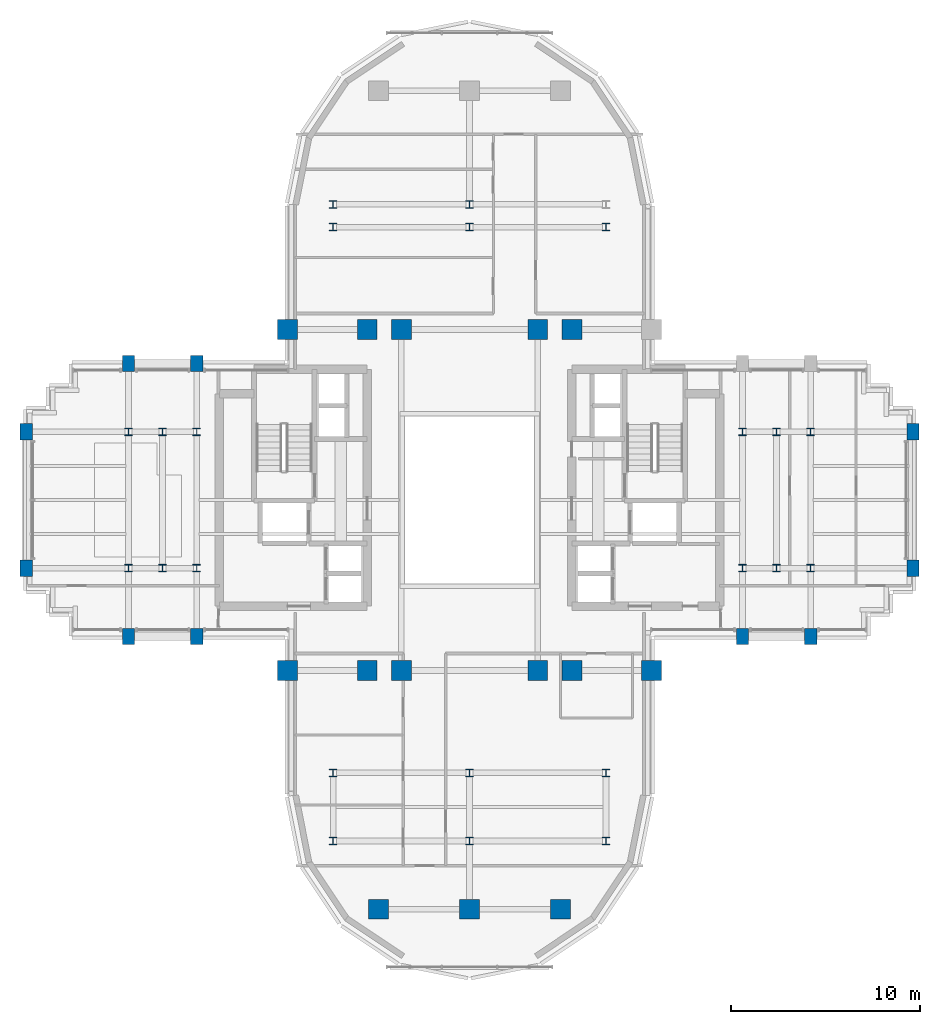
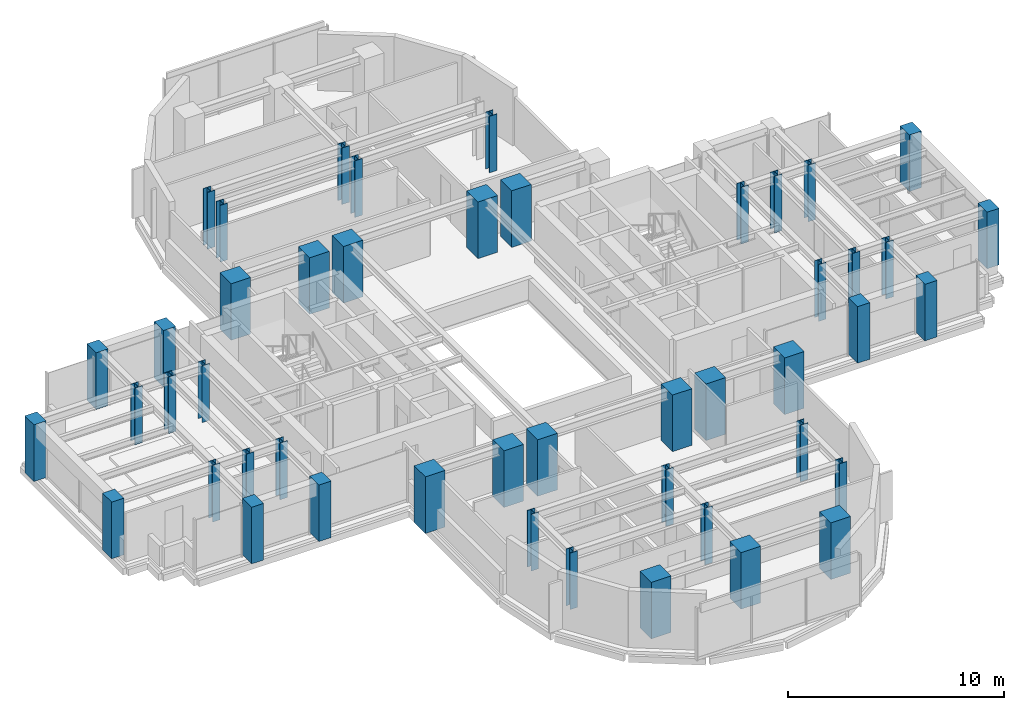
# One storey, part 1 of 13: 47 columns.
"""IFC4 building model written with IfcOpenShell, lengths in metres."""

from ifc_helpers import new_model, si_unit, direction, frame, origin, origin_2d, place, context, subcontext, project, spatial, rectangle, i_section, extrude, source, transform, mapped, material, material_profile, profile_set, type_object, element, save


model = new_model("IFC4")

# Units and contexts
model_context = context("Model", 3, precision=1e-05, world=origin(), true_north=direction((0.0, 1.0)))
body_context = subcontext(model_context, "Body", "Model", "MODEL_VIEW")
ifc_project = project(units=[si_unit("LENGTHUNIT", "METRE"), si_unit("AREAUNIT", "SQUARE_METRE"), si_unit("VOLUMEUNIT", "CUBIC_METRE"), si_unit("PLANEANGLEUNIT", "RADIAN"), si_unit("MASSUNIT", "GRAM", prefix="KILO")], contexts=[model_context])

# Site, building, storey
site_placement = place(None, origin())
site = spatial("IfcSite", under=ifc_project, at=site_placement, CompositionType="ELEMENT")
building_placement = place(site_placement, origin())
building = spatial("IfcBuilding", under=site, at=building_placement, Name="Keilestroom Media Tower", CompositionType="ELEMENT")
storey_placement = place(building_placement, frame((0.0, 0.0, 131.199951171875)))
storey = spatial("IfcBuildingStorey", under=building, at=storey_placement, Name="L35", CompositionType="ELEMENT", Elevation=131.199951171875)

# Columns
ifc_material_1 = material(Name="Precast concrete C40/50", Category="concrete")
ifc_material_profile_1 = material_profile(ifc_material_1, rectangle(XDim=0.64990234375, YDim=0.85009765625, at=origin_2d()), Name="PC 850x650")
ifc_profile_set_1 = profile_set([ifc_material_profile_1], Name="Precast concrete C40/50")
column_type_1 = type_object("IfcColumnType", Name="Structural-Column-PC-850x650", PredefinedType="COLUMN", material=ifc_profile_set_1)
shared_shape_1 = source(origin(), body_context, "Body", "SweptSolid", [
    extrude(rectangle(XDim=0.64990234375, YDim=0.85009765625, at=origin_2d()), origin(), (0.0, 0.0, 1.0), 3.199951171875),
])
for number, where, z_axis, x_axis, name in (
    (1, (-23.39990234375, -3.60009765625, 0.0), (0.0, 0.0, 1.0), (1.0, 0.0, 0.0), "L35 Column PC-2 (-23.4,-3.6)"),
    (2, (-23.39990234375, 3.60009765625, 0.0), (0.0, 0.0, 1.0), (1.0, 0.0, 0.0), "L35 Column PC-2 (-23.4,+3.6)"),
    (3, (-18.0, -7.199951171875, 0.0), (0.0, 0.0, 1.0), (1.0, 0.0, 0.0), "L35 Column PC-2 (-18.0,-7.2)"),
    (4, (-18.0, 7.199951171875, 0.0), (0.0, 0.0, 1.0), (1.0, 0.0, 0.0), "L35 Column PC-2 (-18.0,+7.2)"),
    (5, (-14.39990234375, -7.199951171875, 0.0), (0.0, 0.0, 1.0), (1.0, 0.0, 0.0), "L35 Column PC-2 (-14.4,-7.2)"),
    (6, (-14.39990234375, 7.199951171875, 0.0), (0.0, 0.0, 1.0), (1.0, 0.0, 0.0), "L35 Column PC-2 (-14.4,+7.2)"),
    (7, (14.39990234375, -7.199951171875, 0.0), (0.0, 0.0, 1.0), (1.0, 0.0, 0.0), "L35 Column PC-2 (+14.4,-7.2)"),
    (8, (18.0, -7.199951171875, 0.0), (0.0, 0.0, 1.0), (1.0, 0.0, 0.0), "L35 Column PC-2 (+18.0,-7.2)"),
    (9, (23.39990234375, -3.60009765625, 0.0), (0.0, 0.0, 1.0), (1.0, 0.0, 0.0), "L35 Column PC-2 (+23.4,-3.6)"),
    (10, (23.39990234375, 3.60009765625, 0.0), (0.0, 0.0, 1.0), (1.0, 0.0, 0.0), "L35 Column PC-2 (+23.4,+3.6)"),
):
    element("IfcColumn", number, at=place(storey_placement, frame(where, z_axis=z_axis, x_axis=x_axis)), inside=storey, type_object=column_type_1, Name=name, PredefinedType="COLUMN", context=body_context, shape_type="MappedRepresentation", body=[
        mapped(shared_shape_1, transform((0.0, 0.0, 0.0), x_axis=(1.0, 0.0, 0.0), y_axis=(0.0, 1.0, 0.0), z_axis=(0.0, 0.0, 1.0), scale=1.0)),
    ])
ifc_material_2 = material(Name="Steel S355", Category="steel")
ifc_material_profile_2 = material_profile(ifc_material_2, i_section(OverallWidth=0.40087890625, OverallDepth=0.39892578125, WebThickness=0.02001953125, FlangeThickness=0.031982421875, at=origin_2d()), Name="HD 400x314")
ifc_profile_set_2 = profile_set([ifc_material_profile_2], Name="Steel S355")
column_type_2 = type_object("IfcColumnType", Name="Structural-Column-HD-400x314", PredefinedType="COLUMN", material=ifc_profile_set_2)
shared_shape_2 = source(origin(), body_context, "Body", "SweptSolid", [
    extrude(i_section(OverallWidth=0.40087890625, OverallDepth=0.39892578125, WebThickness=0.02001953125, FlangeThickness=0.031982421875, at=origin_2d()), origin(), (0.0, 0.0, 1.0), 3.199951171875),
])
for number, where, z_axis, x_axis, name in (
    (11, (-18.0, -3.60009765625, 0.0), (0.0, 0.0, 1.0), (1.0, 0.0, 0.0), "L35 Column SC-3 (-18.0,-3.6)"),
    (12, (-18.0, 3.60009765625, 0.0), (0.0, 0.0, 1.0), (1.0, 0.0, 0.0), "L35 Column SC-3 (-18.0,+3.6)"),
    (13, (-16.199951171875, -3.60009765625, 0.0), (0.0, 0.0, 1.0), (1.0, 0.0, 0.0), "L35 Column SC-3 (-16.2,-3.6)"),
    (14, (-16.199951171875, 3.60009765625, 0.0), (0.0, 0.0, 1.0), (1.0, 0.0, 0.0), "L35 Column SC-3 (-16.2,+3.6)"),
    (15, (-14.39990234375, -3.60009765625, 0.0), (0.0, 0.0, 1.0), (1.0, 0.0, 0.0), "L35 Column SC-3 (-14.4,-3.6)"),
    (16, (-14.39990234375, 3.60009765625, 0.0), (0.0, 0.0, 1.0), (1.0, 0.0, 0.0), "L35 Column SC-3 (-14.4,+3.6)"),
    (17, (-7.199951171875, -18.0, 0.0), (0.0, 0.0, 1.0), (1.0, 0.0, 0.0), "L35 Column SC-3 (-7.2,-18.0)"),
    (18, (-7.199951171875, -14.39990234375, 0.0), (0.0, 0.0, 1.0), (1.0, 0.0, 0.0), "L35 Column SC-3 (-7.2,-14.4)"),
    (19, (-7.199951171875, 14.39990234375, 0.0), (0.0, 0.0, 1.0), (1.0, 0.0, 0.0), "L35 Column SC-3 (-7.2,+14.4)"),
    (20, (-7.199951171875, 15.60009765625, 0.0), (0.0, 0.0, 1.0), (1.0, 0.0, 0.0), "L35 Column SC-3 (-7.2,+15.6)"),
    (21, (0.0, -18.0, 0.0), (0.0, 0.0, 1.0), (1.0, 0.0, 0.0), "L35 Column SC-3 (+0.0,-18.0)"),
    (22, (0.0, -14.39990234375, 0.0), (0.0, 0.0, 1.0), (1.0, 0.0, 0.0), "L35 Column SC-3 (+0.0,-14.4)"),
    (23, (0.0, 14.39990234375, 0.0), (0.0, 0.0, 1.0), (1.0, 0.0, 0.0), "L35 Column SC-3 (+0.0,+14.4)"),
    (24, (0.0, 15.60009765625, 0.0), (0.0, 0.0, 1.0), (1.0, 0.0, 0.0), "L35 Column SC-3 (+0.0,+15.6)"),
    (25, (7.199951171875, -18.0, 0.0), (0.0, 0.0, 1.0), (1.0, 0.0, 0.0), "L35 Column SC-3 (+7.2,-18.0)"),
    (26, (7.199951171875, -14.39990234375, 0.0), (0.0, 0.0, 1.0), (1.0, 0.0, 0.0), "L35 Column SC-3 (+7.2,-14.4)"),
    (27, (7.199951171875, 14.39990234375, 0.0), (0.0, 0.0, 1.0), (1.0, 0.0, 0.0), "L35 Column SC-3 (+7.2,+14.4)"),
    (28, (14.39990234375, -3.60009765625, 0.0), (0.0, 0.0, 1.0), (1.0, 0.0, 0.0), "L35 Column SC-3 (+14.4,-3.6)"),
    (29, (14.39990234375, 3.60009765625, 0.0), (0.0, 0.0, 1.0), (1.0, 0.0, 0.0), "L35 Column SC-3 (+14.4,+3.6)"),
    (30, (16.199951171875, -3.60009765625, 0.0), (0.0, 0.0, 1.0), (1.0, 0.0, 0.0), "L35 Column SC-3 (+16.2,-3.6)"),
    (31, (16.199951171875, 3.60009765625, 0.0), (0.0, 0.0, 1.0), (1.0, 0.0, 0.0), "L35 Column SC-3 (+16.2,+3.6)"),
    (32, (18.0, -3.60009765625, 0.0), (0.0, 0.0, 1.0), (1.0, 0.0, 0.0), "L35 Column SC-3 (+18.0,-3.6)"),
    (33, (18.0, 3.60009765625, 0.0), (0.0, 0.0, 1.0), (1.0, 0.0, 0.0), "L35 Column SC-3 (+18.0,+3.6)"),
):
    element("IfcColumn", number, at=place(storey_placement, frame(where, z_axis=z_axis, x_axis=x_axis)), inside=storey, type_object=column_type_2, Name=name, PredefinedType="COLUMN", context=body_context, shape_type="MappedRepresentation", body=[
        mapped(shared_shape_2, transform((0.0, 0.0, 0.0), x_axis=(1.0, 0.0, 0.0), y_axis=(0.0, 1.0, 0.0), z_axis=(0.0, 0.0, 1.0), scale=1.0)),
    ])
ifc_material_3 = material(Name="Concrete C55/67", Category="concrete")
ifc_material_profile_3 = material_profile(ifc_material_3, rectangle(XDim=1.050048828125, YDim=1.050048828125, at=origin_2d()), Name="RC 1050x1050")
ifc_profile_set_3 = profile_set([ifc_material_profile_3], Name="Concrete C55/67")
column_type_3 = type_object("IfcColumnType", Name="Structural-Column-RC-1050x1050", PredefinedType="COLUMN", material=ifc_profile_set_3)
shared_shape_3 = source(origin(), body_context, "Body", "SweptSolid", [
    extrude(rectangle(XDim=1.050048828125, YDim=1.050048828125, at=origin_2d()), origin(), (0.0, 0.0, 1.0), 3.199951171875),
])
for number, where, z_axis, x_axis, name in (
    (34, (-9.60009765625, -9.0, 0.0), (0.0, 0.0, 1.0), (1.0, 0.0, 0.0), "L35 Column MC-3 (-9.6,-9.0)"),
    (35, (-9.60009765625, 9.0, 0.0), (0.0, 0.0, 1.0), (1.0, 0.0, 0.0), "L35 Column MC-3 (-9.6,+9.0)"),
    (36, (-5.39990234375, -9.0, 0.0), (0.0, 0.0, 1.0), (1.0, 0.0, 0.0), "L35 Column MC-3 (-5.4,-9.0)"),
    (37, (-5.39990234375, 9.0, 0.0), (0.0, 0.0, 1.0), (1.0, 0.0, 0.0), "L35 Column MC-3 (-5.4,+9.0)"),
    (38, (-4.800048828125, -21.60009765625, 0.0), (0.0, 0.0, 1.0), (1.0, 0.0, 0.0), "L35 Column MC-3 (-4.8,-21.6)"),
    (39, (-3.60009765625, -9.0, 0.0), (0.0, 0.0, 1.0), (1.0, 0.0, 0.0), "L35 Column MC-3 (-3.6,-9.0)"),
    (40, (-3.60009765625, 9.0, 0.0), (0.0, 0.0, 1.0), (1.0, 0.0, 0.0), "L35 Column MC-3 (-3.6,+9.0)"),
    (41, (0.0, -21.60009765625, 0.0), (0.0, 0.0, 1.0), (1.0, 0.0, 0.0), "L35 Column MC-3 (+0.0,-21.6)"),
    (42, (3.60009765625, -9.0, 0.0), (0.0, 0.0, 1.0), (1.0, 0.0, 0.0), "L35 Column MC-3 (+3.6,-9.0)"),
    (43, (3.60009765625, 9.0, 0.0), (0.0, 0.0, 1.0), (1.0, 0.0, 0.0), "L35 Column MC-3 (+3.6,+9.0)"),
    (44, (4.800048828125, -21.60009765625, 0.0), (0.0, 0.0, 1.0), (1.0, 0.0, 0.0), "L35 Column MC-3 (+4.8,-21.6)"),
    (45, (5.39990234375, -9.0, 0.0), (0.0, 0.0, 1.0), (1.0, 0.0, 0.0), "L35 Column MC-3 (+5.4,-9.0)"),
    (46, (5.39990234375, 9.0, 0.0), (0.0, 0.0, 1.0), (1.0, 0.0, 0.0), "L35 Column MC-3 (+5.4,+9.0)"),
    (47, (9.60009765625, -9.0, 0.0), (0.0, 0.0, 1.0), (1.0, 0.0, 0.0), "L35 Column MC-3 (+9.6,-9.0)"),
):
    element("IfcColumn", number, at=place(storey_placement, frame(where, z_axis=z_axis, x_axis=x_axis)), inside=storey, type_object=column_type_3, Name=name, PredefinedType="COLUMN", context=body_context, shape_type="MappedRepresentation", body=[
        mapped(shared_shape_3, transform((0.0, 0.0, 0.0), x_axis=(1.0, 0.0, 0.0), y_axis=(0.0, 1.0, 0.0), z_axis=(0.0, 0.0, 1.0), scale=1.0)),
    ])

save(model, "model.ifc")
